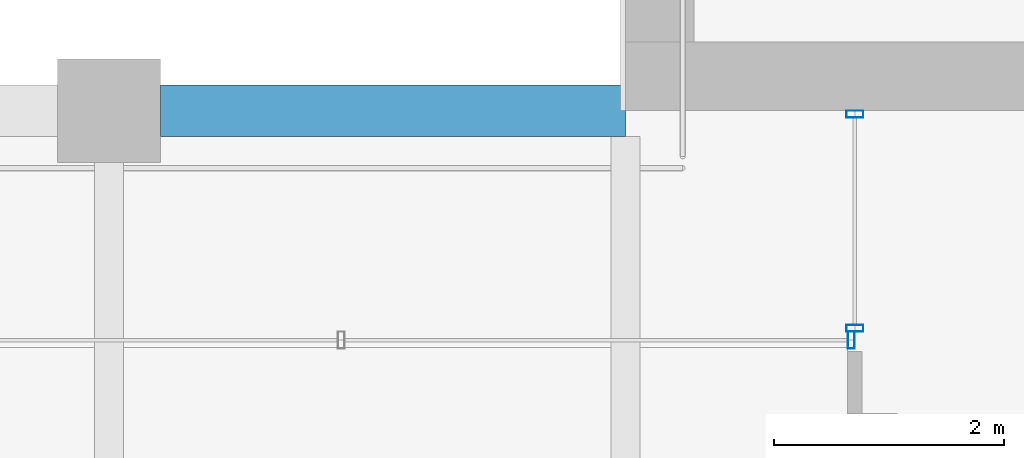
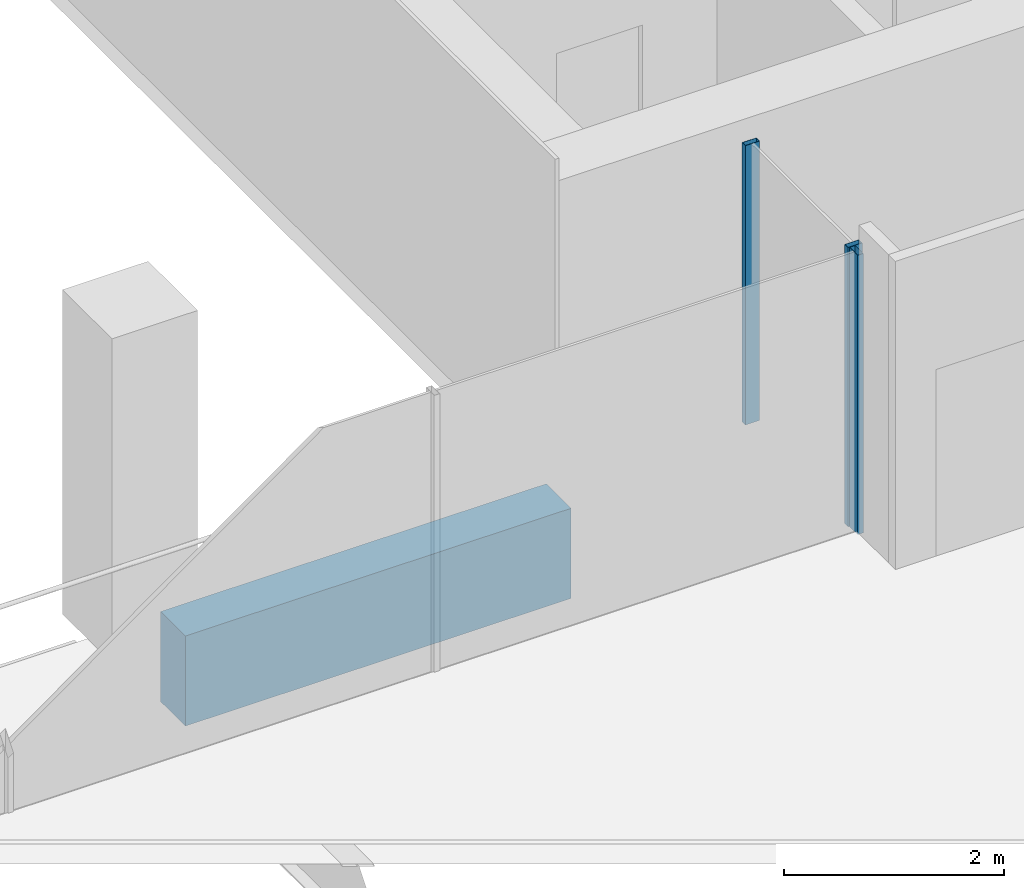
# One storey, part 6 of 40: 3 members, 1 beam, 2 elements without a shape of their own.
"""IFC4 building model written with IfcOpenShell, lengths in metres."""

import ifcopenshell
import ifcopenshell.guid

model = None  # the IFC model being written
_history = None  # IfcOwnerHistory: only IFC2X3 demands one
_inside = {}  # id of a spatial element -> (the spatial element, [elements in it])
_under = {}  # id of a project, library or spatial element -> (it, [spatial elements below it])
_declared = {}  # id of a project -> (the project, [libraries it declares])
_typed = {}  # id of a type object -> (the type object, [elements of that type])
_made_of = {}  # id of a material, layer set ... -> (it, [elements and type objects made of it])


def new_model(schema):
    """Start an empty IFC model of exactly this schema.

    Asked for "IFC4X3", IfcOpenShell would pick the latest addendum, in which some entities
    have other attributes; the version numbers below select the first issue.
    IFC2X3 requires an IfcOwnerHistory on every rooted entity: one is made here for all.
    """
    global model, _history
    if schema == "IFC4X3":
        model = ifcopenshell.file(schema_version=(4, 3, 0, 0))
    else:
        model = ifcopenshell.file(schema=schema)
    _inside.clear()
    _under.clear()
    _declared.clear()
    _typed.clear()
    _made_of.clear()
    _history = None
    if model.schema == "IFC2X3":
        org = make("IfcOrganization", Name="unknown")
        user = make(
            "IfcPersonAndOrganization",
            ThePerson=make("IfcPerson", FamilyName="unknown"),
            TheOrganization=org,
        )
        app = make(
            "IfcApplication",
            ApplicationDeveloper=org,
            Version="unknown",
            ApplicationFullName="unknown",
            ApplicationIdentifier="unknown",
        )
        _history = make(
            "IfcOwnerHistory",
            OwningUser=user,
            OwningApplication=app,
            ChangeAction="ADDED",
            CreationDate=0,
        )
    return model


def make(cls, **values):
    """One entity of the class cls with the attributes given. An attribute that is None is left unset."""
    return model.create_entity(
        cls, **{name: value for name, value in values.items() if value is not None}
    )


def rooted(cls, **values):
    """An entity with a GlobalId (a new one), such as an element, a storey or a relation."""
    return make(cls, GlobalId=ifcopenshell.guid.new(), OwnerHistory=_history, **values)


def si_unit(unit_type, name, prefix=None):
    """IfcSIUnit, for example si_unit("LENGTHUNIT", "METRE", prefix="MILLI")."""
    return make("IfcSIUnit", UnitType=unit_type, Prefix=prefix, Name=name)


def assignment(units):
    """IfcUnitAssignment: the units of a project."""
    return None if units is None else make("IfcUnitAssignment", Units=units)


def point(xyz):
    """IfcCartesianPoint."""
    return None if xyz is None else make("IfcCartesianPoint", Coordinates=xyz)


def direction(xyz):
    """IfcDirection."""
    return None if xyz is None else make("IfcDirection", DirectionRatios=xyz)


def frame(location, z_axis=None, x_axis=None):
    """IfcAxis2Placement3D, a coordinate frame: its origin and axes. An axis left out is left unset."""
    return make(
        "IfcAxis2Placement3D",
        Location=point(location),
        Axis=direction(z_axis),
        RefDirection=direction(x_axis),
    )


def frame_2d(location, x_axis=None):
    """IfcAxis2Placement2D, a coordinate frame in the plane: its origin and x axis."""
    return make(
        "IfcAxis2Placement2D", Location=point(location), RefDirection=direction(x_axis)
    )


def origin():
    """The frame at (0, 0, 0) with its axes left unset."""
    return frame((0.0, 0.0, 0.0))


def origin_2d():
    """The frame at (0, 0) in the plane with its x axis left unset."""
    return frame_2d((0.0, 0.0))


def place(relative_to, where):
    """IfcLocalPlacement: puts the frame where relative to a parent placement (None: the world)."""
    return make(
        "IfcLocalPlacement", PlacementRelTo=relative_to, RelativePlacement=where
    )


def context(
    kind, dimensions, precision=None, world=None, true_north=None, identifier=None
):
    """IfcGeometricRepresentationContext, for example the 3D "Model" context."""
    return make(
        "IfcGeometricRepresentationContext",
        ContextIdentifier=identifier,
        ContextType=kind,
        CoordinateSpaceDimension=dimensions,
        Precision=precision,
        WorldCoordinateSystem=world,
        TrueNorth=true_north,
    )


def subcontext(parent, identifier, kind, view, scale=None):
    """IfcGeometricRepresentationSubContext, for example "Body" below "Model"."""
    return make(
        "IfcGeometricRepresentationSubContext",
        ContextIdentifier=identifier,
        ContextType=kind,
        ParentContext=parent,
        TargetScale=scale,
        TargetView=view,
    )


def project(units=None, contexts=None):
    """IfcProject with its units and contexts."""
    return rooted(
        "IfcProject",
        Name="project",
        RepresentationContexts=contexts,
        UnitsInContext=assignment(units),
    )


def spatial(cls, under=None, at=None, **own):
    """A site, building, storey or space (cls), placed at a placement, below another one or the project."""
    s = rooted(cls, ObjectPlacement=at, **own)
    if under is not None:
        _under.setdefault(under.id(), (under, []))[1].append(s)
    return s


def profile(cls, at=None, kind="AREA", **sizes):
    """A parametric profile (cls). Its sizes go by their IFC names, for example OverallWidth=200.0."""
    return make(cls, ProfileType=kind, Position=at, **sizes)


def rectangle(**sizes):
    """IfcRectangleProfileDef."""
    return profile("IfcRectangleProfileDef", **sizes)


def hollow_rectangle(**sizes):
    """IfcRectangleHollowProfileDef."""
    return profile("IfcRectangleHollowProfileDef", **sizes)


def extrude(swept, where, along, depth):
    """IfcExtrudedAreaSolid: the profile swept, set in the frame where, extruded along a direction by depth."""
    return make(
        "IfcExtrudedAreaSolid",
        SweptArea=swept,
        Position=where,
        ExtrudedDirection=direction(along),
        Depth=depth,
    )


def shape(context_of_items, identifier, shape_type, items):
    """IfcShapeRepresentation: the items that make up one representation, for example the "Body"."""
    return make(
        "IfcShapeRepresentation",
        ContextOfItems=context_of_items,
        RepresentationIdentifier=identifier,
        RepresentationType=shape_type,
        Items=items,
    )


def material(Name=None, Category=None):
    """IfcMaterial."""
    return make("IfcMaterial", Name=Name, Category=Category)


def material_profile(
    of_material, cross_section, Name=None, Category=None, Priority=None
):
    """IfcMaterialProfile: a cross section and its material."""
    return make(
        "IfcMaterialProfile",
        Name=Name,
        Material=of_material,
        Profile=cross_section,
        Priority=Priority,
        Category=Category,
    )


def profile_set(profiles, Name=None, composite=None):
    """IfcMaterialProfileSet."""
    return make(
        "IfcMaterialProfileSet",
        Name=Name,
        MaterialProfiles=profiles,
        CompositeProfile=composite,
    )


def made_of(thing, what):
    """Note that an element or type object is made of a material, layer set ...; save() writes the relation."""
    if what is not None:
        _made_of.setdefault(what.id(), (what, []))[1].append(thing)
    return thing


def type_object(cls, material=None, **own):
    """A type object (cls), such as IfcWallType, which elements share."""
    return made_of(rooted(cls, **own), material)


def element(
    cls,
    number,
    at=None,
    inside=None,
    cuts=None,
    type_object=None,
    material=None,
    context=None,
    identifier="Body",
    shape_type=None,
    held_by="IfcProductDefinitionShape",
    body=None,
    shapes=None,
    **own,
):
    """One element of the class cls, such as IfcWall. Its Tag is "e" and its number.

    at: its placement. inside: the storey or other place that contains it. cuts: it is an
    opening in that element (IfcRelVoidsElement). A single representation is given by context,
    identifier, shape_type and body (its items); several are given by shapes. held_by: the class
    of the entity that holds the representations. save() writes the other relations.
    """
    e = rooted(cls, Tag="e%d" % number, ObjectPlacement=at, **own)
    if body is not None:
        shapes = [shape(context, identifier, shape_type, body)]
    if shapes is not None:
        e.Representation = make(held_by, Representations=shapes)
    if inside is not None:
        _inside.setdefault(inside.id(), (inside, []))[1].append(e)
    if cuts is not None:
        rooted(
            "IfcRelVoidsElement", RelatingBuildingElement=cuts, RelatedOpeningElement=e
        )
    if type_object is not None:
        _typed.setdefault(type_object.id(), (type_object, []))[1].append(e)
    return made_of(e, material)


def aggregate(whole, parts):
    """IfcRelAggregates: a whole, such as a stair, and the parts it consists of."""
    return rooted("IfcRelAggregates", RelatingObject=whole, RelatedObjects=parts)


def save(model, path):
    """Write the relations noted so far, then the file.

    IfcRelAggregates (storeys below a building ...), IfcRelContainedInSpatialStructure (elements
    in a storey), IfcRelDefinesByType, IfcRelAssociatesMaterial and IfcRelDeclares: one each for
    every whole, place, type object, material and project.
    """
    for whole, parts in _under.values():
        aggregate(whole, parts)
    for where, things in _inside.values():
        rooted(
            "IfcRelContainedInSpatialStructure",
            RelatedElements=things,
            RelatingStructure=where,
        )
    for kind, things in _typed.values():
        rooted("IfcRelDefinesByType", RelatedObjects=things, RelatingType=kind)
    for what, things in _made_of.values():
        rooted("IfcRelAssociatesMaterial", RelatedObjects=things, RelatingMaterial=what)
    for by, libraries in _declared.values():
        rooted("IfcRelDeclares", RelatingContext=by, RelatedDefinitions=libraries)
    model.write(path)


model = new_model("IFC4")

# Units and contexts
model_context = context("Model", 3, precision=1e-05, world=origin(), true_north=direction((0.0, 1.0)))
body_context = subcontext(model_context, "Body", "Model", "MODEL_VIEW")
ifc_project = project(units=[si_unit("LENGTHUNIT", "METRE"), si_unit("AREAUNIT", "SQUARE_METRE"), si_unit("VOLUMEUNIT", "CUBIC_METRE"), si_unit("PLANEANGLEUNIT", "RADIAN"), si_unit("MASSUNIT", "GRAM", prefix="KILO")], contexts=[model_context])

# Site, building, storey
site_placement = place(None, origin())
site = spatial("IfcSite", under=ifc_project, at=site_placement, CompositionType="ELEMENT")
building_placement = place(site_placement, origin())
building = spatial("IfcBuilding", under=site, at=building_placement, Name="Altepetl Exchange Towers", CompositionType="ELEMENT")
storey_placement = place(building_placement, frame((0.0, 0.0, 169.0)))
storey = spatial("IfcBuildingStorey", under=building, at=storey_placement, Name="L42", CompositionType="ELEMENT", Elevation=169.0)

# Curtain wall, members
ifc_material_1 = material(Name="Aluminium 6063-T6 glazing", Category="aluminium")
curtain_wall_type = type_object("IfcCurtainWallType", Name="Loggia glazing system", PredefinedType="NOTDEFINED", material=ifc_material_1)
curtain_wall_1_placement = place(storey_placement, origin())
curtain_wall_1 = element("IfcCurtainWall", 1, at=curtain_wall_1_placement, inside=storey, type_object=curtain_wall_type, Name="CW1 run", PredefinedType="NOTDEFINED")
ifc_material_2 = material(Name="Aluminium 6063-T6", Category="aluminium")
ifc_material_profile_1 = material_profile(ifc_material_2, hollow_rectangle(XDim=0.06005859375, YDim=0.14990234375, WallThickness=0.0029296875, at=origin_2d()), Name="Mullion 60x150 aluminium")
ifc_profile_set_1 = profile_set([ifc_material_profile_1], Name="Aluminium 6063-T6")
member_type = type_object("IfcMemberType", Name="Mullion 60x150 aluminium", PredefinedType="MULLION", material=ifc_profile_set_1)
member_1_placement = place(storey_placement, frame((42.5, 40.469970703125, 0.0), z_axis=(0.0, 0.0, 1.0), x_axis=(0.0, -1.0, 0.0)))
member_1 = element("IfcMember", 2, at=member_1_placement, type_object=member_type, Name="MU1 mullion", PredefinedType="MULLION", context=body_context, shape_type="SweptSolid", body=[
    extrude(hollow_rectangle(XDim=0.06005859375, YDim=0.14990234375, WallThickness=0.0029296875, at=origin_2d()), origin(), (0.0, 0.0, 1.0), 3.10009765625),
])
member_2_placement = place(storey_placement, frame((42.5, 38.60498046875, 0.0), z_axis=(0.0, 0.0, 1.0), x_axis=(0.0, -1.0, 0.0)))
member_2 = element("IfcMember", 3, at=member_2_placement, type_object=member_type, Name="MU1 mullion", PredefinedType="MULLION", context=body_context, shape_type="SweptSolid", body=[
    extrude(hollow_rectangle(XDim=0.06005859375, YDim=0.14990234375, WallThickness=0.0029296875, at=origin_2d()), origin(), (0.0, 0.0, 1.0), 3.10009765625),
])
aggregate(curtain_wall_1, [member_1, member_2])

# Curtain wall, member
curtain_wall_2_placement = place(storey_placement, origin())
curtain_wall_2 = element("IfcCurtainWall", 4, at=curtain_wall_2_placement, inside=storey, type_object=curtain_wall_type, Name="CW1 run", PredefinedType="NOTDEFINED")
member_3_placement = place(storey_placement, frame((42.469970703125, 38.5, 0.0), z_axis=(0.0, 0.0, 1.0), x_axis=(-1.0, 0.0, 0.0)))
member_3 = element("IfcMember", 5, at=member_3_placement, type_object=member_type, Name="MU1 mullion", PredefinedType="MULLION", context=body_context, shape_type="SweptSolid", body=[
    extrude(hollow_rectangle(XDim=0.06005859375, YDim=0.14990234375, WallThickness=0.0029296875, at=origin_2d()), origin(), (0.0, 0.0, 1.0), 3.10009765625),
])
aggregate(curtain_wall_2, [member_3])

# Beam
ifc_material_3 = material(Name="Concrete C50/60 precast with tezontle facing", Category="concrete")
ifc_material_profile_2 = material_profile(ifc_material_3, rectangle(XDim=0.449951171875, YDim=1.0, at=origin_2d()), Name="450 x 1000")
ifc_profile_set_2 = profile_set([ifc_material_profile_2], Name="Concrete C50/60 precast with tezontle facing")
beam_type = type_object("IfcBeamType", Name="Spandrel beam 450x1000 tezontle", PredefinedType="SPANDREL", material=ifc_profile_set_2)
beam_placement = place(storey_placement, frame((40.5, 40.5, -0.64990234375), z_axis=(-1.0, 0.0, 0.0), x_axis=(0.0, -1.0, 0.0)))
element("IfcBeam", 6, at=beam_placement, inside=storey, type_object=beam_type, Name="sp:A:L42:033", PredefinedType="SPANDREL", context=body_context, shape_type="SweptSolid", body=[
    extrude(rectangle(XDim=0.449951171875, YDim=1.0, at=origin_2d()), origin(), (0.0, 0.0, 1.0), 4.050048828125),
])

save(model, "model.ifc")
